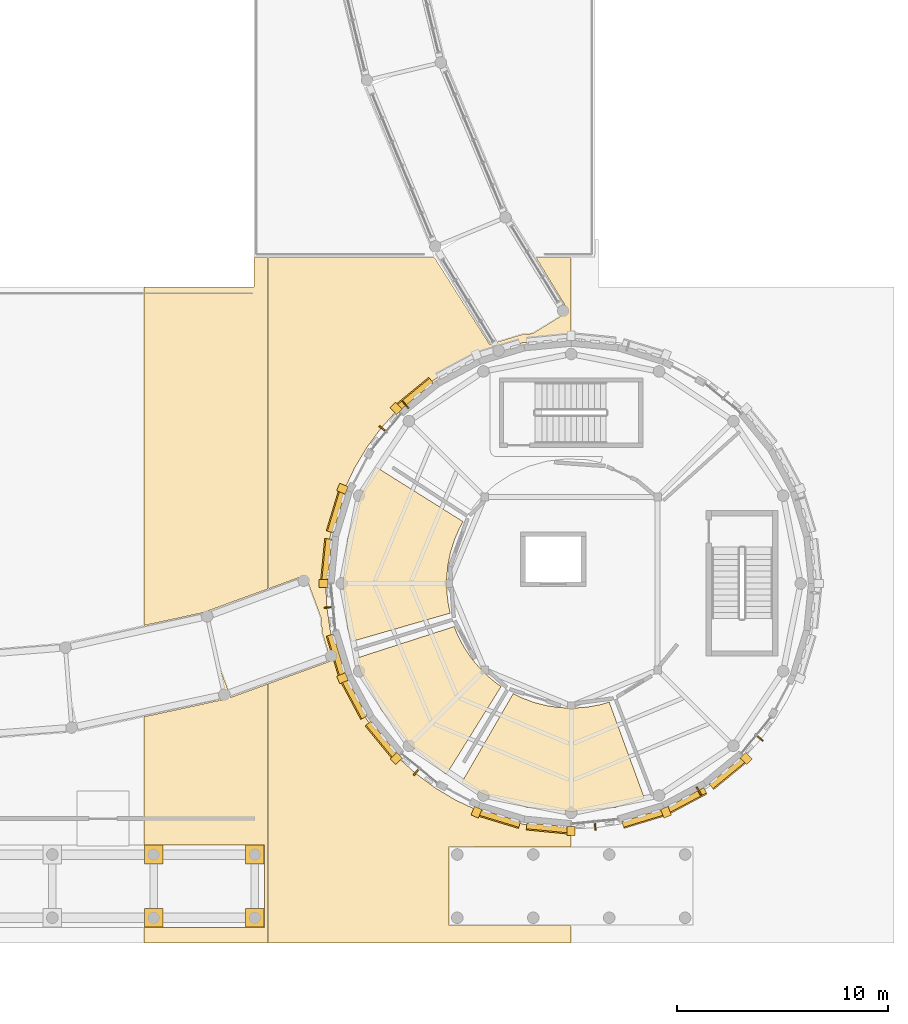
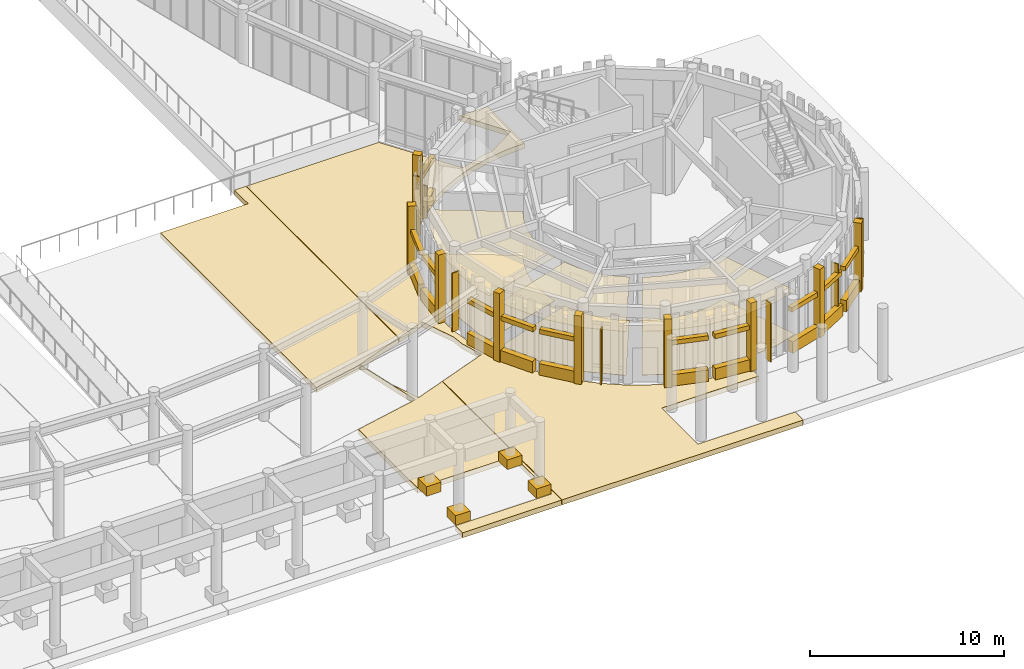
# One storey, part 87 of 94: 43 coverings, 7 shading devices.
"""IFC4 building model written with IfcOpenShell, lengths in metres."""

from ifc_helpers import new_model, si_unit, direction, frame, origin, origin_2d, place, context, subcontext, project, spatial, polyline, rectangle, outline, extrude, material, layer, layer_set, type_object, element, save


model = new_model("IFC4")

# Units and contexts
model_context = context("Model", 3, precision=1e-05, world=origin(), true_north=direction((0.0, 1.0)))
body_context = subcontext(model_context, "Body", "Model", "MODEL_VIEW")
ifc_project = project(units=[si_unit("LENGTHUNIT", "METRE"), si_unit("AREAUNIT", "SQUARE_METRE"), si_unit("VOLUMEUNIT", "CUBIC_METRE"), si_unit("PLANEANGLEUNIT", "RADIAN"), si_unit("MASSUNIT", "GRAM", prefix="KILO")], contexts=[model_context])

# Site, building, storey
site_placement = place(None, origin())
site = spatial("IfcSite", under=ifc_project, at=site_placement, CompositionType="ELEMENT")
building_placement = place(site_placement, origin())
building = spatial("IfcBuilding", under=site, at=building_placement, Name="Aldenvaro Health Centre", CompositionType="ELEMENT")
storey_placement = place(building_placement, origin())
storey = spatial("IfcBuildingStorey", under=building, at=storey_placement, Name="L00", CompositionType="ELEMENT", Elevation=0.0)

# Coverings
ifc_material_1 = material(Name="Antimicrobial Mineral Fibre Ceiling")
ifc_layer_1 = layer(ifc_material_1, 0.01806640625, Name="Antimicrobial Mineral Fibre Ceiling")
ifc_layer_set_1 = layer_set([ifc_layer_1], Name="Antimicrobial Mineral Fibre Ceiling")
covering_type_1 = type_object("IfcCoveringType", Name="COV-CLG-ACT18", PredefinedType="CEILING", material=ifc_layer_set_1)
covering_1_placement = place(storey_placement, frame((0.0, 0.0, 2.75)))
element("IfcCovering", 1, at=covering_1_placement, inside=storey, type_object=covering_type_1, Name="D6-L00-R04 Suspended Ceiling", PredefinedType="CEILING", context=body_context, shape_type="SweptSolid", body=[
    extrude(outline(polyline([(152.10107421875, 13.09912109375), (152.125, 13.089111328125), (152.705078125, 12.868896484375), (152.73095703125, 12.861083984375), (153.33203125, 12.70703125), (153.35693359375, 12.701904296875), (153.971923828125, 12.614013671875), (153.998046875, 12.612060546875), (154.617919921875, 12.592041015625), (154.64501953125, 12.592041015625), (155.262939453125, 12.639892578125), (155.2890625, 12.64306640625), (155.89892578125, 12.758056640625), (155.925048828125, 12.764892578125), (156.301025390625, 12.87890625), (157.97607421875, 8.303955078125), (156.610107421875, 7.888916015625), (154.5, 7.681884765625), (152.389892578125, 7.888916015625), (150.360107421875, 8.5048828125), (149.30908203125, 9.06689453125), (151.75, 13.278076171875), (152.10107421875, 13.09912109375)])), origin(), (0.0, 0.0, 1.0), 0.01806640625),
])
ifc_material_2 = material(Name="Hygienic Sealed Gypsum Ceiling")
ifc_layer_2 = layer(ifc_material_2, 0.02490234375, Name="Hygienic Sealed Gypsum Ceiling")
ifc_layer_set_2 = layer_set([ifc_layer_2], Name="Hygienic Sealed Gypsum Ceiling")
covering_type_2 = type_object("IfcCoveringType", Name="COV-CLG-GYP25", PredefinedType="CEILING", material=ifc_layer_set_2)
covering_2_placement = place(storey_placement, frame((0.0, 0.0, 2.75)))
element("IfcCovering", 2, at=covering_2_placement, inside=storey, type_object=covering_type_2, Name="D6-L00-R02 Suspended Ceiling", PredefinedType="CEILING", context=body_context, shape_type="SweptSolid", body=[
    extrude(outline(polyline([(149.197021484375, 21.10888671875), (149.18603515625, 21.0859375), (148.952880859375, 20.5380859375), (148.944091796875, 20.513916015625), (148.77001953125, 19.944091796875), (148.762939453125, 19.919921875), (148.64990234375, 19.3349609375), (148.64599609375, 19.31005859375), (148.593994140625, 18.716064453125), (148.593017578125, 18.69091796875), (148.60400390625, 18.094970703125), (148.60595703125, 18.070068359375), (148.678955078125, 17.47900390625), (148.68408203125, 17.4541015625), (148.76708984375, 17.094970703125), (144.0849609375, 15.743896484375), (143.888916015625, 16.389892578125), (143.681884765625, 18.5), (143.888916015625, 20.610107421875), (144.5048828125, 22.639892578125), (145.243896484375, 24.02294921875), (149.3759765625, 21.430908203125), (149.197021484375, 21.10888671875)])), origin(), (0.0, 0.0, 1.0), 0.02490234375),
])
covering_3_placement = place(storey_placement, frame((0.0, 0.0, 2.75)))
element("IfcCovering", 3, at=covering_3_placement, inside=storey, type_object=covering_type_2, Name="D6-L00-R03 Suspended Ceiling", PredefinedType="CEILING", context=body_context, shape_type="SweptSolid", body=[
    extrude(outline(polyline([(149.052978515625, 16.2080078125), (149.06103515625, 16.18798828125), (149.27490234375, 15.739013671875), (149.283935546875, 15.720947265625), (149.537109375, 15.2919921875), (149.548095703125, 15.27490234375), (149.8369140625, 14.8701171875), (149.85009765625, 14.85302734375), (150.172119140625, 14.47509765625), (150.18701171875, 14.4599609375), (150.5419921875, 14.112060546875), (150.556884765625, 14.097900390625), (150.94091796875, 13.781982421875), (150.9580078125, 13.76904296875), (151.178955078125, 13.617919921875), (148.5859375, 9.452880859375), (148.489990234375, 9.50390625), (146.85009765625, 10.85009765625), (145.50390625, 12.489990234375), (144.5048828125, 14.360107421875), (144.322998046875, 14.9609375), (148.9599609375, 16.4580078125), (149.052978515625, 16.2080078125)])), origin(), (0.0, 0.0, 1.0), 0.02490234375),
])
ifc_material_3 = material(Name="Honed Sonoran Buff Limestone", Category="masonry")
ifc_layer_3 = layer(ifc_material_3, 0.280029296875, Name="Honed Sonoran Buff Limestone", Category="masonry")
ifc_layer_set_3 = layer_set([ifc_layer_3], Name="Honed Sonoran Buff Limestone")
covering_type_3 = type_object("IfcCoveringType", Name="COV-CRN-STN", PredefinedType="CLADDING", material=ifc_layer_set_3)
covering_4_placement = place(storey_placement, frame((161.904052734375, 9.47900390625, 0.0), z_axis=(0.0, 0.0, 1.0), x_axis=(-0.772859503767, -0.634577172169, 0.0)))
element("IfcCovering", 4, at=covering_4_placement, inside=storey, type_object=covering_type_3, Name="D6 L00 Rusticated Limestone Plinth 5.1", PredefinedType="CLADDING", context=body_context, shape_type="SweptSolid", body=[
    extrude(rectangle(XDim=1.955078125, YDim=0.340087890625, at=origin_2d()), origin(), (0.0, 0.0, 1.0), 0.719970703125),
])
covering_5_placement = place(storey_placement, frame((161.885009765625, 9.501953125, 2.5498046875), z_axis=(0.0, 0.0, 1.0), x_axis=(-0.772859503767, -0.634577172169, 0.0)))
element("IfcCovering", 5, at=covering_5_placement, inside=storey, type_object=covering_type_3, Name="D6 L00 Rusticated Limestone Plinth 5.2", PredefinedType="CLADDING", context=body_context, shape_type="SweptSolid", body=[
    extrude(rectangle(XDim=1.955078125, YDim=0.280029296875, at=origin_2d()), origin(), (0.0, 0.0, 1.0), 0.280029296875),
])
covering_6_placement = place(storey_placement, frame((162.801025390625, 10.198974609375, -0.00048828125), z_axis=(0.0, 0.0, 1.0), x_axis=(0.707106781187, -0.707106781187, 0.0)))
element("IfcCovering", 6, at=covering_6_placement, inside=storey, type_object=covering_type_3, Name="D6 L00 Engaged Classical Limestone Pilaster 03", PredefinedType="CLADDING", context=body_context, shape_type="SweptSolid", body=[
    extrude(rectangle(XDim=0.43994140625, YDim=0.3798828125, at=origin_2d()), origin(), (0.0, 0.0, 1.0), 4.304931640625),
])
covering_7_placement = place(storey_placement, frame((160.001953125, 8.2080078125, 0.0), z_axis=(0.0, 0.0, 1.0), x_axis=(-0.882018256263, -0.471215232797, 0.0)))
element("IfcCovering", 7, at=covering_7_placement, inside=storey, type_object=covering_type_3, Name="D6 L00 Rusticated Limestone Plinth 6.1", PredefinedType="CLADDING", context=body_context, shape_type="SweptSolid", body=[
    extrude(rectangle(XDim=1.955078125, YDim=0.340087890625, at=origin_2d()), origin(), (0.0, 0.0, 1.0), 0.719970703125),
])
covering_8_placement = place(storey_placement, frame((159.988037109375, 8.23388671875, 2.5498046875), z_axis=(0.0, 0.0, 1.0), x_axis=(-0.882018256263, -0.471215232797, 0.0)))
element("IfcCovering", 8, at=covering_8_placement, inside=storey, type_object=covering_type_3, Name="D6 L00 Rusticated Limestone Plinth 6.2", PredefinedType="CLADDING", context=body_context, shape_type="SweptSolid", body=[
    extrude(rectangle(XDim=1.955078125, YDim=0.280029296875, at=origin_2d()), origin(), (0.0, 0.0, 1.0), 0.280029296875),
])
covering_9_placement = place(storey_placement, frame((157.887939453125, 7.3330078125, 0.0), z_axis=(0.0, 0.0, 1.0), x_axis=(-0.956922756407, -0.290342622208, 0.0)))
element("IfcCovering", 9, at=covering_9_placement, inside=storey, type_object=covering_type_3, Name="D6 L00 Rusticated Limestone Plinth 7.1", PredefinedType="CLADDING", context=body_context, shape_type="SweptSolid", body=[
    extrude(rectangle(XDim=1.955078125, YDim=0.340087890625, at=origin_2d()), origin(), (0.0, 0.0, 1.0), 0.719970703125),
])
covering_10_placement = place(storey_placement, frame((157.87890625, 7.361083984375, 2.5498046875), z_axis=(0.0, 0.0, 1.0), x_axis=(-0.956922756407, -0.290342622208, 0.0)))
element("IfcCovering", 10, at=covering_10_placement, inside=storey, type_object=covering_type_3, Name="D6 L00 Rusticated Limestone Plinth 7.2", PredefinedType="CLADDING", context=body_context, shape_type="SweptSolid", body=[
    extrude(rectangle(XDim=1.955078125, YDim=0.280029296875, at=origin_2d()), origin(), (0.0, 0.0, 1.0), 0.280029296875),
])
covering_11_placement = place(storey_placement, frame((158.992919921875, 7.654052734375, -0.00048828125), z_axis=(0.0, 0.0, 1.0), x_axis=(0.38272107551, -0.923863939312, 0.0)))
element("IfcCovering", 11, at=covering_11_placement, inside=storey, type_object=covering_type_3, Name="D6 L00 Engaged Classical Limestone Pilaster 04", PredefinedType="CLADDING", context=body_context, shape_type="SweptSolid", body=[
    extrude(rectangle(XDim=0.43994140625, YDim=0.3798828125, at=origin_2d()), origin(), (0.0, 0.0, 1.0), 4.304931640625),
])
covering_12_placement = place(storey_placement, frame((153.35595703125, 6.885986328125, 0.0), z_axis=(0.0, 0.0, 1.0), x_axis=(-0.995186685493, 0.097997250052, 0.0)))
element("IfcCovering", 12, at=covering_12_placement, inside=storey, type_object=covering_type_3, Name="D6 L00 Rusticated Limestone Plinth 9.1", PredefinedType="CLADDING", context=body_context, shape_type="SweptSolid", body=[
    extrude(rectangle(XDim=1.955078125, YDim=0.340087890625, at=origin_2d()), origin(), (0.0, 0.0, 1.0), 0.719970703125),
])
covering_13_placement = place(storey_placement, frame((153.35888671875, 6.916015625, 2.5498046875), z_axis=(0.0, 0.0, 1.0), x_axis=(-0.995186685493, 0.097997250052, 0.0)))
element("IfcCovering", 13, at=covering_13_placement, inside=storey, type_object=covering_type_3, Name="D6 L00 Rusticated Limestone Plinth 9.2", PredefinedType="CLADDING", context=body_context, shape_type="SweptSolid", body=[
    extrude(rectangle(XDim=1.955078125, YDim=0.280029296875, at=origin_2d()), origin(), (0.0, 0.0, 1.0), 0.280029296875),
])
covering_14_placement = place(storey_placement, frame((154.5, 6.760009765625, -0.00048828125), z_axis=(0.0, 0.0, 1.0), x_axis=(0.0, -1.0, 0.0)))
element("IfcCovering", 14, at=covering_14_placement, inside=storey, type_object=covering_type_3, Name="D6 L00 Engaged Classical Limestone Pilaster 05", PredefinedType="CLADDING", context=body_context, shape_type="SweptSolid", body=[
    extrude(rectangle(XDim=0.43994140625, YDim=0.3798828125, at=origin_2d()), origin(), (0.0, 0.0, 1.0), 4.304931640625),
])
covering_15_placement = place(storey_placement, frame((151.112060546875, 7.3330078125, 0.0), z_axis=(0.0, 0.0, 1.0), x_axis=(-0.956922756407, 0.290342622208, 0.0)))
element("IfcCovering", 15, at=covering_15_placement, inside=storey, type_object=covering_type_3, Name="D6 L00 Rusticated Limestone Plinth 10.1", PredefinedType="CLADDING", context=body_context, shape_type="SweptSolid", body=[
    extrude(rectangle(XDim=1.955078125, YDim=0.340087890625, at=origin_2d()), origin(), (0.0, 0.0, 1.0), 0.719970703125),
])
covering_16_placement = place(storey_placement, frame((151.12109375, 7.361083984375, 2.5498046875), z_axis=(0.0, 0.0, 1.0), x_axis=(-0.956922756407, 0.290342622208, 0.0)))
element("IfcCovering", 16, at=covering_16_placement, inside=storey, type_object=covering_type_3, Name="D6 L00 Rusticated Limestone Plinth 10.2", PredefinedType="CLADDING", context=body_context, shape_type="SweptSolid", body=[
    extrude(rectangle(XDim=1.955078125, YDim=0.280029296875, at=origin_2d()), origin(), (0.0, 0.0, 1.0), 0.280029296875),
])
covering_17_placement = place(storey_placement, frame((150.007080078125, 7.654052734375, -0.00048828125), z_axis=(0.0, 0.0, 1.0), x_axis=(-0.38272107551, -0.923863939312, 0.0)))
element("IfcCovering", 17, at=covering_17_placement, inside=storey, type_object=covering_type_3, Name="D6 L00 Engaged Classical Limestone Pilaster 06", PredefinedType="CLADDING", context=body_context, shape_type="SweptSolid", body=[
    extrude(rectangle(XDim=0.43994140625, YDim=0.3798828125, at=origin_2d()), origin(), (0.0, 0.0, 1.0), 4.304931640625),
])
covering_18_placement = place(storey_placement, frame((145.47900390625, 11.095947265625, 0.0), z_axis=(0.0, 0.0, 1.0), x_axis=(-0.634577172169, 0.772859503767, 0.0)))
element("IfcCovering", 18, at=covering_18_placement, inside=storey, type_object=covering_type_3, Name="D6 L00 Rusticated Limestone Plinth 13.1", PredefinedType="CLADDING", context=body_context, shape_type="SweptSolid", body=[
    extrude(rectangle(XDim=1.955078125, YDim=0.340087890625, at=origin_2d()), origin(), (0.0, 0.0, 1.0), 0.719970703125),
])
covering_19_placement = place(storey_placement, frame((145.501953125, 11.114990234375, 2.5498046875), z_axis=(0.0, 0.0, 1.0), x_axis=(-0.634577172169, 0.772859503767, 0.0)))
element("IfcCovering", 19, at=covering_19_placement, inside=storey, type_object=covering_type_3, Name="D6 L00 Rusticated Limestone Plinth 13.2", PredefinedType="CLADDING", context=body_context, shape_type="SweptSolid", body=[
    extrude(rectangle(XDim=1.955078125, YDim=0.280029296875, at=origin_2d()), origin(), (0.0, 0.0, 1.0), 0.280029296875),
])
covering_20_placement = place(storey_placement, frame((146.198974609375, 10.198974609375, -0.00048828125), z_axis=(0.0, 0.0, 1.0), x_axis=(-0.707106781187, -0.707106781187, 0.0)))
element("IfcCovering", 20, at=covering_20_placement, inside=storey, type_object=covering_type_3, Name="D6 L00 Engaged Classical Limestone Pilaster 07", PredefinedType="CLADDING", context=body_context, shape_type="SweptSolid", body=[
    extrude(rectangle(XDim=0.43994140625, YDim=0.3798828125, at=origin_2d()), origin(), (0.0, 0.0, 1.0), 4.304931640625),
])
covering_21_placement = place(storey_placement, frame((144.2080078125, 12.998046875, 0.0), z_axis=(0.0, 0.0, 1.0), x_axis=(-0.471215232797, 0.882018256263, 0.0)))
element("IfcCovering", 21, at=covering_21_placement, inside=storey, type_object=covering_type_3, Name="D6 L00 Rusticated Limestone Plinth 14.1", PredefinedType="CLADDING", context=body_context, shape_type="SweptSolid", body=[
    extrude(rectangle(XDim=1.955078125, YDim=0.340087890625, at=origin_2d()), origin(), (0.0, 0.0, 1.0), 0.719970703125),
])
covering_22_placement = place(storey_placement, frame((144.23388671875, 13.011962890625, 2.5498046875), z_axis=(0.0, 0.0, 1.0), x_axis=(-0.471215232797, 0.882018256263, 0.0)))
element("IfcCovering", 22, at=covering_22_placement, inside=storey, type_object=covering_type_3, Name="D6 L00 Rusticated Limestone Plinth 14.2", PredefinedType="CLADDING", context=body_context, shape_type="SweptSolid", body=[
    extrude(rectangle(XDim=1.955078125, YDim=0.280029296875, at=origin_2d()), origin(), (0.0, 0.0, 1.0), 0.280029296875),
])
covering_23_placement = place(storey_placement, frame((143.3330078125, 15.112060546875, 0.0), z_axis=(0.0, 0.0, 1.0), x_axis=(-0.290342622208, 0.956922756407, 0.0)))
element("IfcCovering", 23, at=covering_23_placement, inside=storey, type_object=covering_type_3, Name="D6 L00 Rusticated Limestone Plinth 15.1", PredefinedType="CLADDING", context=body_context, shape_type="SweptSolid", body=[
    extrude(rectangle(XDim=1.955078125, YDim=0.340087890625, at=origin_2d()), origin(), (0.0, 0.0, 1.0), 0.719970703125),
])
covering_24_placement = place(storey_placement, frame((143.361083984375, 15.12109375, 2.5498046875), z_axis=(0.0, 0.0, 1.0), x_axis=(-0.290342622208, 0.956922756407, 0.0)))
element("IfcCovering", 24, at=covering_24_placement, inside=storey, type_object=covering_type_3, Name="D6 L00 Rusticated Limestone Plinth 15.2", PredefinedType="CLADDING", context=body_context, shape_type="SweptSolid", body=[
    extrude(rectangle(XDim=1.955078125, YDim=0.280029296875, at=origin_2d()), origin(), (0.0, 0.0, 1.0), 0.280029296875),
])
covering_25_placement = place(storey_placement, frame((143.654052734375, 14.007080078125, -0.00048828125), z_axis=(0.0, 0.0, 1.0), x_axis=(-0.923863939312, -0.38272107551, 0.0)))
element("IfcCovering", 25, at=covering_25_placement, inside=storey, type_object=covering_type_3, Name="D6 L00 Engaged Classical Limestone Pilaster 08", PredefinedType="CLADDING", context=body_context, shape_type="SweptSolid", body=[
    extrude(rectangle(XDim=0.43994140625, YDim=0.3798828125, at=origin_2d()), origin(), (0.0, 0.0, 1.0), 4.304931640625),
])
covering_26_placement = place(storey_placement, frame((142.885986328125, 19.64404296875, 0.0), z_axis=(0.0, 0.0, 1.0), x_axis=(0.097997250052, 0.995186685493, 0.0)))
element("IfcCovering", 26, at=covering_26_placement, inside=storey, type_object=covering_type_3, Name="D6 L00 Rusticated Limestone Plinth 17.1", PredefinedType="CLADDING", context=body_context, shape_type="SweptSolid", body=[
    extrude(rectangle(XDim=1.955078125, YDim=0.340087890625, at=origin_2d()), origin(), (0.0, 0.0, 1.0), 0.719970703125),
])
covering_27_placement = place(storey_placement, frame((142.916015625, 19.64111328125, 2.5498046875), z_axis=(0.0, 0.0, 1.0), x_axis=(0.097997250052, 0.995186685493, 0.0)))
element("IfcCovering", 27, at=covering_27_placement, inside=storey, type_object=covering_type_3, Name="D6 L00 Rusticated Limestone Plinth 17.2", PredefinedType="CLADDING", context=body_context, shape_type="SweptSolid", body=[
    extrude(rectangle(XDim=1.955078125, YDim=0.280029296875, at=origin_2d()), origin(), (0.0, 0.0, 1.0), 0.280029296875),
])
covering_28_placement = place(storey_placement, frame((142.760009765625, 18.5, -0.00048828125), z_axis=(0.0, 0.0, 1.0), x_axis=(-1.0, 0.0, 0.0)))
element("IfcCovering", 28, at=covering_28_placement, inside=storey, type_object=covering_type_3, Name="D6 L00 Engaged Classical Limestone Pilaster 09", PredefinedType="CLADDING", context=body_context, shape_type="SweptSolid", body=[
    extrude(rectangle(XDim=0.43994140625, YDim=0.3798828125, at=origin_2d()), origin(), (0.0, 0.0, 1.0), 4.304931640625),
])
covering_29_placement = place(storey_placement, frame((143.3330078125, 21.887939453125, 0.0), z_axis=(0.0, 0.0, 1.0), x_axis=(0.290342622208, 0.956922756407, 0.0)))
element("IfcCovering", 29, at=covering_29_placement, inside=storey, type_object=covering_type_3, Name="D6 L00 Rusticated Limestone Plinth 18.1", PredefinedType="CLADDING", context=body_context, shape_type="SweptSolid", body=[
    extrude(rectangle(XDim=1.955078125, YDim=0.340087890625, at=origin_2d()), origin(), (0.0, 0.0, 1.0), 0.719970703125),
])
covering_30_placement = place(storey_placement, frame((143.361083984375, 21.87890625, 2.5498046875), z_axis=(0.0, 0.0, 1.0), x_axis=(0.290342622208, 0.956922756407, 0.0)))
element("IfcCovering", 30, at=covering_30_placement, inside=storey, type_object=covering_type_3, Name="D6 L00 Rusticated Limestone Plinth 18.2", PredefinedType="CLADDING", context=body_context, shape_type="SweptSolid", body=[
    extrude(rectangle(XDim=1.955078125, YDim=0.280029296875, at=origin_2d()), origin(), (0.0, 0.0, 1.0), 0.280029296875),
])
covering_31_placement = place(storey_placement, frame((143.654052734375, 22.992919921875, -0.00048828125), z_axis=(0.0, 0.0, 1.0), x_axis=(-0.923863939312, 0.38272107551, 0.0)))
element("IfcCovering", 31, at=covering_31_placement, inside=storey, type_object=covering_type_3, Name="D6 L00 Engaged Classical Limestone Pilaster 10", PredefinedType="CLADDING", context=body_context, shape_type="SweptSolid", body=[
    extrude(rectangle(XDim=0.43994140625, YDim=0.3798828125, at=origin_2d()), origin(), (0.0, 0.0, 1.0), 4.304931640625),
])
covering_32_placement = place(storey_placement, frame((147.095947265625, 27.52099609375, 0.0), z_axis=(0.0, 0.0, 1.0), x_axis=(0.772859503767, 0.634577172169, 0.0)))
element("IfcCovering", 32, at=covering_32_placement, inside=storey, type_object=covering_type_3, Name="D6 L00 Rusticated Limestone Plinth 21.1", PredefinedType="CLADDING", context=body_context, shape_type="SweptSolid", body=[
    extrude(rectangle(XDim=1.955078125, YDim=0.340087890625, at=origin_2d()), origin(), (0.0, 0.0, 1.0), 0.719970703125),
])
covering_33_placement = place(storey_placement, frame((147.114990234375, 27.498046875, 2.5498046875), z_axis=(0.0, 0.0, 1.0), x_axis=(0.772859503767, 0.634577172169, 0.0)))
element("IfcCovering", 33, at=covering_33_placement, inside=storey, type_object=covering_type_3, Name="D6 L00 Rusticated Limestone Plinth 21.2", PredefinedType="CLADDING", context=body_context, shape_type="SweptSolid", body=[
    extrude(rectangle(XDim=1.955078125, YDim=0.280029296875, at=origin_2d()), origin(), (0.0, 0.0, 1.0), 0.280029296875),
])
covering_34_placement = place(storey_placement, frame((146.198974609375, 26.801025390625, -0.00048828125), z_axis=(0.0, 0.0, 1.0), x_axis=(-0.707106781187, 0.707106781187, 0.0)))
element("IfcCovering", 34, at=covering_34_placement, inside=storey, type_object=covering_type_3, Name="D6 L00 Engaged Classical Limestone Pilaster 11", PredefinedType="CLADDING", context=body_context, shape_type="SweptSolid", body=[
    extrude(rectangle(XDim=0.43994140625, YDim=0.3798828125, at=origin_2d()), origin(), (0.0, 0.0, 1.0), 4.304931640625),
])
for number, where, z_axis, x_axis, name in (
    (35, (134.699951171875, 2.64990234375, 0.0), (0.0, 0.0, 1.0), (1.0, 0.0, 0.0), "South Stoa Classical Column Plinth 33"),
    (36, (134.699951171875, 5.64990234375, 0.0), (0.0, 0.0, 1.0), (1.0, 0.0, 0.0), "South Stoa Classical Column Plinth 34"),
    (37, (139.5, 2.64990234375, 0.0), (0.0, 0.0, 1.0), (1.0, 0.0, 0.0), "South Stoa Classical Column Plinth 35"),
    (38, (139.5, 5.64990234375, 0.0), (0.0, 0.0, 1.0), (1.0, 0.0, 0.0), "South Stoa Classical Column Plinth 36"),
):
    element("IfcCovering", number, at=place(storey_placement, frame(where, z_axis=z_axis, x_axis=x_axis)), inside=storey, type_object=covering_type_3, Name=name, PredefinedType="CLADDING", context=body_context, shape_type="SweptSolid", body=[
        extrude(rectangle(XDim=0.8798828125, YDim=0.8798828125, at=origin_2d()), origin(), (0.0, 0.0, 1.0), 0.60009765625),
    ])
ifc_material_4 = material(Name="Polished Epoxy Terrazzo Flooring")
ifc_layer_4 = layer(ifc_material_4, 0.02197265625, Name="Polished Epoxy Terrazzo Flooring")
ifc_layer_set_4 = layer_set([ifc_layer_4], Name="Polished Epoxy Terrazzo Flooring")
covering_type_4 = type_object("IfcCoveringType", Name="COV-FLR-TER22", PredefinedType="FLOORING", material=ifc_layer_set_4)
covering_35_placement = place(storey_placement, origin())
element("IfcCovering", 39, at=covering_35_placement, inside=storey, type_object=covering_type_4, Name="D6-L00-R02 Flooring", PredefinedType="FLOORING", context=body_context, shape_type="SweptSolid", body=[
    extrude(outline(polyline([(149.197021484375, 21.10888671875), (149.18603515625, 21.0859375), (148.952880859375, 20.5380859375), (148.944091796875, 20.513916015625), (148.77001953125, 19.944091796875), (148.762939453125, 19.919921875), (148.64990234375, 19.3349609375), (148.64599609375, 19.31005859375), (148.593994140625, 18.716064453125), (148.593017578125, 18.69091796875), (148.60400390625, 18.094970703125), (148.60595703125, 18.070068359375), (148.678955078125, 17.47900390625), (148.68408203125, 17.4541015625), (148.76708984375, 17.094970703125), (144.0849609375, 15.743896484375), (143.888916015625, 16.389892578125), (143.681884765625, 18.5), (143.888916015625, 20.610107421875), (144.5048828125, 22.639892578125), (145.243896484375, 24.02294921875), (149.3759765625, 21.430908203125), (149.197021484375, 21.10888671875)])), origin(), (0.0, 0.0, 1.0), 0.02197265625),
])
covering_36_placement = place(storey_placement, origin())
element("IfcCovering", 40, at=covering_36_placement, inside=storey, type_object=covering_type_4, Name="D6-L00-R03 Flooring", PredefinedType="FLOORING", context=body_context, shape_type="SweptSolid", body=[
    extrude(outline(polyline([(149.052978515625, 16.2080078125), (149.06103515625, 16.18798828125), (149.27490234375, 15.739013671875), (149.283935546875, 15.720947265625), (149.537109375, 15.2919921875), (149.548095703125, 15.27490234375), (149.8369140625, 14.8701171875), (149.85009765625, 14.85302734375), (150.172119140625, 14.47509765625), (150.18701171875, 14.4599609375), (150.5419921875, 14.112060546875), (150.556884765625, 14.097900390625), (150.94091796875, 13.781982421875), (150.9580078125, 13.76904296875), (151.178955078125, 13.617919921875), (148.5859375, 9.452880859375), (148.489990234375, 9.50390625), (146.85009765625, 10.85009765625), (145.50390625, 12.489990234375), (144.5048828125, 14.360107421875), (144.322998046875, 14.9609375), (148.9599609375, 16.4580078125), (149.052978515625, 16.2080078125)])), origin(), (0.0, 0.0, 1.0), 0.02197265625),
])
covering_37_placement = place(storey_placement, origin())
element("IfcCovering", 41, at=covering_37_placement, inside=storey, type_object=covering_type_4, Name="D6-L00-R04 Flooring", PredefinedType="FLOORING", context=body_context, shape_type="SweptSolid", body=[
    extrude(outline(polyline([(152.10107421875, 13.09912109375), (152.125, 13.089111328125), (152.705078125, 12.868896484375), (152.73095703125, 12.861083984375), (153.33203125, 12.70703125), (153.35693359375, 12.701904296875), (153.971923828125, 12.614013671875), (153.998046875, 12.612060546875), (154.617919921875, 12.592041015625), (154.64501953125, 12.592041015625), (155.262939453125, 12.639892578125), (155.2890625, 12.64306640625), (155.89892578125, 12.758056640625), (155.925048828125, 12.764892578125), (156.301025390625, 12.87890625), (157.97607421875, 8.303955078125), (156.610107421875, 7.888916015625), (154.5, 7.681884765625), (152.389892578125, 7.888916015625), (150.360107421875, 8.5048828125), (149.30908203125, 9.06689453125), (151.75, 13.278076171875), (152.10107421875, 13.09912109375)])), origin(), (0.0, 0.0, 1.0), 0.02197265625),
])
ifc_material_5 = material(Name="Honed Sonoran Buff Travertine", Category="masonry")
ifc_layer_5 = layer(ifc_material_5, 0.320068359375, Name="Honed Sonoran Buff Travertine", Category="masonry")
ifc_layer_set_5 = layer_set([ifc_layer_5], Name="Honed Sonoran Buff Travertine")
covering_type_5 = type_object("IfcCoveringType", Name="COV-POD-320", PredefinedType="FLOORING", material=ifc_layer_set_5)
covering_38_placement = place(storey_placement, frame((0.0, 0.0, -0.320068359375)))
element("IfcCovering", 42, at=covering_38_placement, inside=storey, type_object=covering_type_5, Name="South Street Entrance Stylobate Forecourt Section 13", PredefinedType="FLOORING", context=body_context, shape_type="SweptSolid", body=[
    extrude(outline(polyline([(139.449951171875, 33.9599609375), (140.123046875, 33.9599609375), (140.123046875, 18.241943359375), (137.216064453125, 17.179931640625), (137.72900390625, 14.803955078125), (138.35888671875, 13.095947265625), (140.123046875, 13.740966796875), (140.123046875, 1.449951171875), (134.240966796875, 1.449951171875), (134.240966796875, 2.180908203125), (139.951904296875, 2.179931640625), (139.969970703125, 6.10205078125), (134.240966796875, 6.10498046875), (134.240966796875, 12.178955078125), (138.10791015625, 13.01806640625), (137.2109375, 17.153076171875), (134.240966796875, 16.507080078125), (134.240966796875, 32.550048828125), (139.449951171875, 32.550048828125), (139.449951171875, 33.9599609375)])), origin(), (0.0, 0.0, 1.0), 0.320068359375),
])
covering_39_placement = place(storey_placement, frame((0.0, 0.0, -0.320068359375)))
element("IfcCovering", 43, at=covering_39_placement, inside=storey, type_object=covering_type_5, Name="South Street Entrance Stylobate Forecourt Section 14", PredefinedType="FLOORING", context=body_context, shape_type="SweptSolid", body=[
    extrude(outline(polyline([(148.01806640625, 33.9599609375), (150.62890625, 29.8369140625), (152.153076171875, 30.298095703125), (152.6689453125, 30.35009765625), (154.381103515625, 31.39892578125), (152.830078125, 33.9599609375), (154.485107421875, 33.9609375), (154.485107421875, 30.138916015625), (153.35888671875, 30.083984375), (152.22900390625, 29.916015625), (151.12109375, 29.638916015625), (150.0458984375, 29.25390625), (149.012939453125, 28.76611328125), (148.032958984375, 28.177978515625), (147.115966796875, 27.498046875), (146.26904296875, 26.73095703125), (145.501953125, 25.884033203125), (144.822021484375, 24.967041015625), (144.23388671875, 23.987060546875), (143.74609375, 22.9541015625), (143.361083984375, 21.87890625), (143.083984375, 20.77099609375), (142.916015625, 19.64111328125), (142.860107421875, 18.5), (142.916015625, 17.35888671875), (143.083984375, 16.22900390625), (143.361083984375, 15.12109375), (143.74609375, 14.0458984375), (144.23388671875, 13.012939453125), (144.822021484375, 12.032958984375), (145.501953125, 11.115966796875), (146.26904296875, 10.26904296875), (147.115966796875, 9.501953125), (148.032958984375, 8.822021484375), (149.012939453125, 8.23388671875), (150.0458984375, 7.74609375), (151.12109375, 7.361083984375), (152.22900390625, 7.083984375), (153.35888671875, 6.916015625), (154.485107421875, 6.861083984375), (154.485107421875, 6.011962890625), (148.714111328125, 6.01904296875), (148.7060546875, 2.285888671875), (154.485107421875, 2.282958984375), (154.485107421875, 1.449951171875), (140.153076171875, 1.449951171875), (140.153076171875, 13.7509765625), (143.096923828125, 14.826904296875), (142.701904296875, 16.153076171875), (142.626953125, 16.905029296875), (141.89599609375, 18.888916015625), (140.153076171875, 18.2529296875), (140.153076171875, 33.9599609375), (148.01806640625, 33.9599609375)])), origin(), (0.0, 0.0, 1.0), 0.320068359375),
])

# Shading devices
ifc_material_6 = material(Name="Douglas Fir Exterior Glulam GL28h", Category="wood")
shading_device_type_1 = type_object("IfcShadingDeviceType", Name="SHD-FIN-205", PredefinedType="USERDEFINED", material=ifc_material_6)
shading_device_placement = place(storey_placement, frame((146.653076171875, 26.962890625, -0.02001953125), z_axis=(0.0, 0.0, 1.0), x_axis=(0.772859503767, 0.634577172169, 0.0)))
element("IfcShadingDevice", 44, at=shading_device_placement, inside=storey, type_object=shading_device_type_1, Name="D6 L00 Douglas fir fin 21.1", ObjectType="FIN", PredefinedType="USERDEFINED", context=body_context, shape_type="SweptSolid", body=[
    extrude(rectangle(XDim=0.06494140625, YDim=0.419921875, at=origin_2d()), origin(), (0.0, 0.0, 1.0), 2.050048828125),
])
shading_device_type_2 = type_object("IfcShadingDeviceType", Name="SHD-FIN-340", PredefinedType="USERDEFINED", material=ifc_material_6)
for number, where, z_axis, x_axis, name in (
    (45, (160.5458984375, 8.6689453125, -0.02001953125), (0.0, 0.0, 1.0), (-0.882018256263, -0.471215232797, 0.0), "D6 L00 Douglas fir fin 6.1"),
    (46, (147.1689453125, 9.568115234375, -0.02001953125), (0.0, 0.0, 1.0), (-0.772859503767, 0.634577172169, 0.0), "D6 L00 vertical timber fin 12.0"),
):
    element("IfcShadingDevice", number, at=place(storey_placement, frame(where, z_axis=z_axis, x_axis=x_axis)), inside=storey, type_object=shading_device_type_2, Name=name, ObjectType="FIN", PredefinedType="USERDEFINED", context=body_context, shape_type="SweptSolid", body=[
        extrude(rectangle(XDim=0.074951171875, YDim=0.419921875, at=origin_2d()), origin(), (0.0, 0.0, 1.0), 3.39990234375),
    ])
shading_device_type_3 = type_object("IfcShadingDeviceType", Name="SHD-FIN-400", PredefinedType="USERDEFINED", material=ifc_material_6)
for number, where, z_axis, x_axis, name in (
    (47, (163.431884765625, 11.1689453125, -0.0205078125), (0.0, 0.0, 1.0), (-0.634577172169, -0.772859503767, 0.0), "D6 L00 vertical timber fin 4.0"),
    (48, (143.0009765625, 17.366943359375, -0.0205078125), (0.0, 0.0, 1.0), (-0.097997250052, 0.995186685493, 0.0), "D6 L00 vertical timber fin 16.0"),
):
    element("IfcShadingDevice", number, at=place(storey_placement, frame(where, z_axis=z_axis, x_axis=x_axis)), inside=storey, type_object=shading_device_type_3, Name=name, ObjectType="FIN", PredefinedType="USERDEFINED", context=body_context, shape_type="SweptSolid", body=[
        extrude(rectangle(XDim=0.06494140625, YDim=0.419921875, at=origin_2d()), origin(), (0.0, 0.0, 1.0), 3.698974609375),
    ])
shading_device_type_4 = type_object("IfcShadingDeviceType", Name="SHD-FIN-435", PredefinedType="USERDEFINED", material=ifc_material_6)
for number, where, z_axis, x_axis, name in (
    (49, (155.633056640625, 7.0009765625, -0.0205078125), (0.0, 0.0, 1.0), (-0.995186685493, -0.097997250052, 0.0), "D6 L00 vertical timber fin 8.0"),
    (50, (145.568115234375, 25.8310546875, -0.0205078125), (0.0, 0.0, 1.0), (0.634577172169, 0.772859503767, 0.0), "D6 L00 vertical timber fin 20.0"),
):
    element("IfcShadingDevice", number, at=place(storey_placement, frame(where, z_axis=z_axis, x_axis=x_axis)), inside=storey, type_object=shading_device_type_4, Name=name, ObjectType="FIN", PredefinedType="USERDEFINED", context=body_context, shape_type="SweptSolid", body=[
        extrude(rectangle(XDim=0.06494140625, YDim=0.419921875, at=origin_2d()), origin(), (0.0, 0.0, 1.0), 3.698974609375),
    ])

save(model, "model.ifc")
